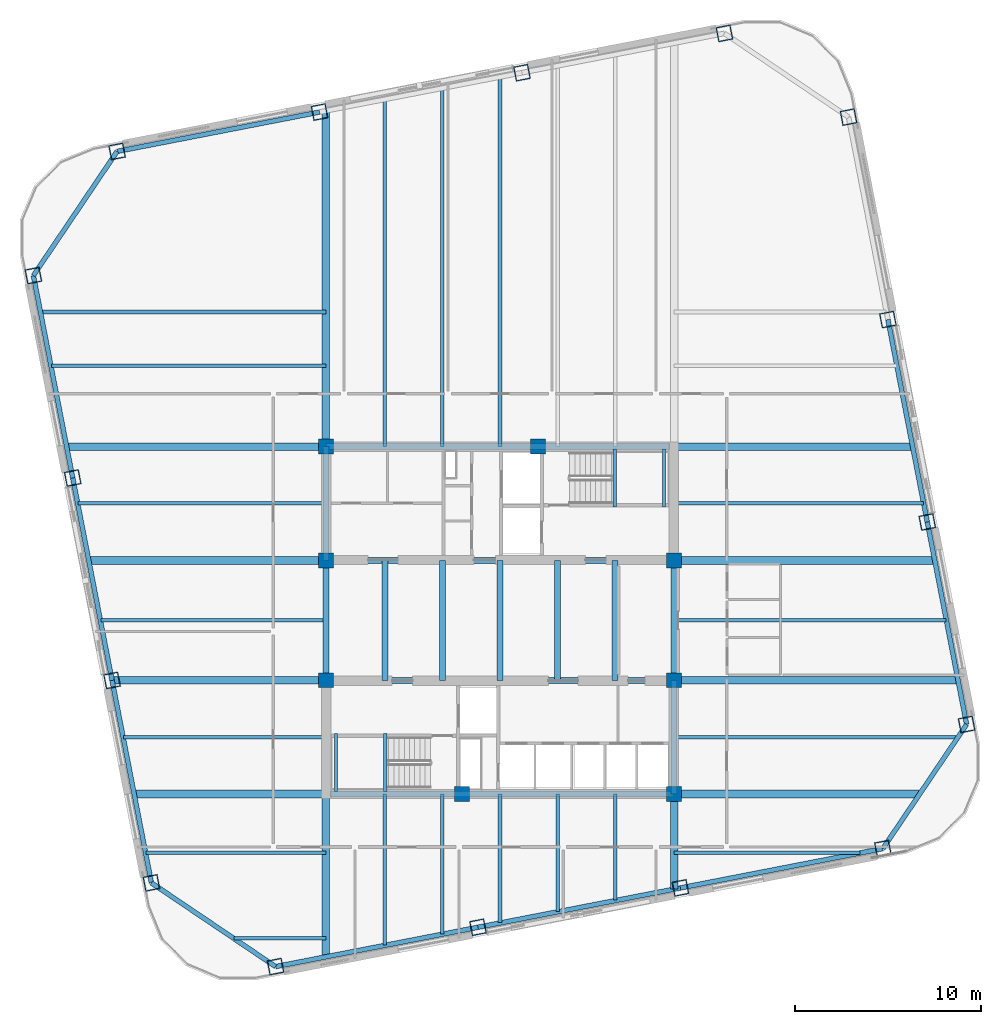
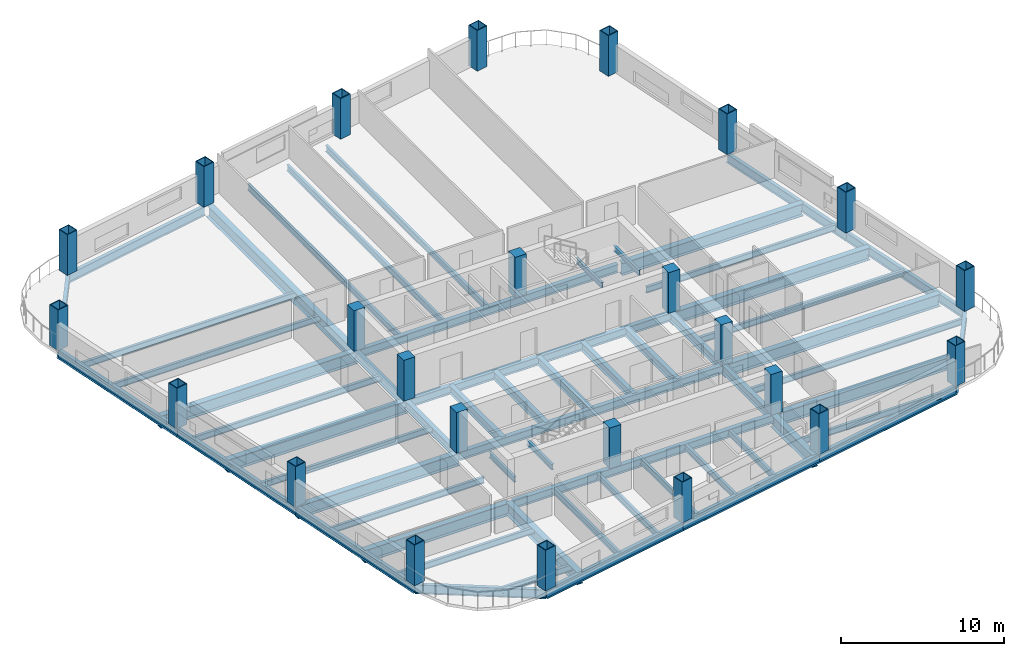
# One storey, part 1 of 9: 59 beams, 24 columns.
"""IFC4 building model written with IfcOpenShell, lengths in metres."""

from ifc_helpers import new_model, si_unit, direction, frame, origin, origin_2d, place, context, subcontext, project, spatial, rectangle, hollow_rectangle, i_section, extrude, material, material_profile, profile_set, type_object, element, save


model = new_model("IFC4")

# Units and contexts
model_context = context("Model", 3, precision=1e-05, world=origin(), true_north=direction((0.0, 1.0)))
body_context = subcontext(model_context, "Body", "Model", "MODEL_VIEW")
ifc_project = project(units=[si_unit("LENGTHUNIT", "METRE"), si_unit("AREAUNIT", "SQUARE_METRE"), si_unit("VOLUMEUNIT", "CUBIC_METRE"), si_unit("PLANEANGLEUNIT", "RADIAN"), si_unit("MASSUNIT", "GRAM", prefix="KILO")], contexts=[model_context])

# Site, building, storey
site_placement = place(None, origin())
site = spatial("IfcSite", under=ifc_project, at=site_placement, CompositionType="ELEMENT")
building_placement = place(site_placement, origin())
building = spatial("IfcBuilding", under=site, at=building_placement, Name="Qhalaya Broadcast Tower", CompositionType="ELEMENT")
storey_placement = place(building_placement, frame((0.0, 0.0, 121.949951171875)))
storey = spatial("IfcBuildingStorey", under=building, at=storey_placement, Name="L35", CompositionType="ELEMENT", Elevation=121.949951171875)

# Columns
ifc_material_1 = material(Name="Concrete C50/60", Category="concrete")
ifc_material_profile_1 = material_profile(ifc_material_1, rectangle(XDim=0.800048828125, YDim=0.800048828125, at=origin_2d()), Name="RC-COL 800x800")
ifc_profile_set_1 = profile_set([ifc_material_profile_1], Name="Concrete C50/60")
column_type_1 = type_object("IfcColumnType", Name="RC Upper Column C10", PredefinedType="COLUMN", material=ifc_profile_set_1)
for number, where, z_axis, x_axis, name in (
    (1, (-9.375, 9.949951171875, 0.0), (0.0, 0.0, 1.0), (1.0, 0.0, 0.0), "L35 Column COL-CC1"),
    (2, (2.050048828125, 9.949951171875, 0.0), (0.0, 0.0, 1.0), (1.0, 0.0, 0.0), "L35 Column COL-CC2"),
    (3, (-9.375, 3.824951171875, 0.0), (0.0, 0.0, 1.0), (1.0, 0.0, 0.0), "L35 Column COL-CC3"),
    (4, (9.375, 3.824951171875, 0.0), (0.0, 0.0, 1.0), (1.0, 0.0, 0.0), "L35 Column COL-CC4"),
    (5, (-9.375, -2.625, 0.0), (0.0, 0.0, 1.0), (1.0, 0.0, 0.0), "L35 Column COL-CC5"),
    (6, (9.375, -2.625, 0.0), (0.0, 0.0, 1.0), (1.0, 0.0, 0.0), "L35 Column COL-CC6"),
    (7, (-2.050048828125, -8.75, 0.0), (0.0, 0.0, 1.0), (1.0, 0.0, 0.0), "L35 Column COL-CC7"),
    (8, (9.375, -8.75, 0.0), (0.0, 0.0, 1.0), (1.0, 0.0, 0.0), "L35 Column COL-CC8"),
):
    element("IfcColumn", number, at=place(storey_placement, frame(where, z_axis=z_axis, x_axis=x_axis)), inside=storey, type_object=column_type_1, Name=name, PredefinedType="COLUMN", context=body_context, shape_type="SweptSolid", body=[
        extrude(rectangle(XDim=0.800048828125, YDim=0.800048828125, at=origin_2d()), origin(), (0.0, 0.0, 1.0), 3.050048828125),
    ])
ifc_material_2 = material(Name="Structural Steel ASTM A572 Grade 50", Category="steel")
ifc_material_profile_2 = material_profile(ifc_material_2, hollow_rectangle(XDim=0.800048828125, YDim=0.800048828125, WallThickness=0.050048828125, at=origin_2d()), Name="BOX 800x800x50")
ifc_profile_set_2 = profile_set([ifc_material_profile_2], Name="Structural Steel ASTM A572 Grade 50")
column_type_2 = type_object("IfcColumnType", Name="Steel Box Column C03", PredefinedType="COLUMN", material=ifc_profile_set_2)
for number, where, z_axis, x_axis, name in (
    (9, (-12.07958984375, -18.036376953125, 0.0), (0.0, 0.0, 1.0), (0.981627183448, 0.190808995377, 0.0), "L35 Column COL-EX01"),
    (10, (-1.183349609375, -15.91845703125, 0.0), (0.0, 0.0, 1.0), (0.981627183448, 0.190808995377, 0.0), "L35 Column COL-EX02"),
    (11, (9.712646484375, -13.80029296875, 0.0), (0.0, 0.0, 1.0), (0.981627183448, 0.190808995377, 0.0), "L35 Column COL-EX03"),
    (12, (20.608642578125, -11.682373046875, 0.0), (0.0, 0.0, 1.0), (0.981627183448, 0.190808995377, 0.0), "L35 Column COL-EX04"),
    (13, (25.1162109375, -4.99951171875, 0.0), (0.0, 0.0, 1.0), (-0.190808995377, 0.981627183448, 0.0), "L35 Column COL-EX05"),
    (14, (22.998291015625, 5.896484375, 0.0), (0.0, 0.0, 1.0), (-0.190808995377, 0.981627183448, 0.0), "L35 Column COL-EX06"),
    (15, (20.88037109375, 16.79248046875, 0.0), (0.0, 0.0, 1.0), (-0.190808995377, 0.981627183448, 0.0), "L35 Column COL-EX07"),
    (16, (18.762451171875, 27.688720703125, 0.0), (0.0, 0.0, 1.0), (-0.190808995377, 0.981627183448, 0.0), "L35 Column COL-EX08"),
    (17, (12.07958984375, 32.1962890625, 0.0), (0.0, 0.0, 1.0), (0.981627183448, 0.190808995377, 0.0), "L35 Column COL-EX09"),
    (18, (1.183349609375, 30.078369140625, 0.0), (0.0, 0.0, 1.0), (0.981627183448, 0.190808995377, 0.0), "L35 Column COL-EX10"),
    (19, (-9.712646484375, 27.96044921875, 0.0), (0.0, 0.0, 1.0), (0.981627183448, 0.190808995377, 0.0), "L35 Column COL-EX11"),
    (20, (-20.608642578125, 25.84228515625, 0.0), (0.0, 0.0, 1.0), (0.981627183448, 0.190808995377, 0.0), "L35 Column COL-EX12"),
    (21, (-25.1162109375, 19.159423828125, 0.0), (0.0, 0.0, 1.0), (-0.190808995377, 0.981627183448, 0.0), "L35 Column COL-EX13"),
    (22, (-22.998291015625, 8.263427734375, 0.0), (0.0, 0.0, 1.0), (-0.190808995377, 0.981627183448, 0.0), "L35 Column COL-EX14"),
    (23, (-20.88037109375, -2.632568359375, 0.0), (0.0, 0.0, 1.0), (-0.190808995377, 0.981627183448, 0.0), "L35 Column COL-EX15"),
    (24, (-18.762451171875, -13.52880859375, 0.0), (0.0, 0.0, 1.0), (-0.190808995377, 0.981627183448, 0.0), "L35 Column COL-EX16"),
):
    element("IfcColumn", number, at=place(storey_placement, frame(where, z_axis=z_axis, x_axis=x_axis)), inside=storey, type_object=column_type_2, Name=name, PredefinedType="COLUMN", context=body_context, shape_type="SweptSolid", body=[
        extrude(hollow_rectangle(XDim=0.800048828125, YDim=0.800048828125, WallThickness=0.050048828125, at=origin_2d()), origin(), (0.0, 0.0, 1.0), 3.050048828125),
    ])

# Beams
ifc_material_3 = material(Name="Structural Steel ASTM A992 Grade 50", Category="steel")
ifc_material_profile_3 = material_profile(ifc_material_3, i_section(OverallWidth=0.19189453125, OverallDepth=0.462890625, WebThickness=0.010498046875, FlangeThickness=0.017578125, at=origin_2d()), Name="W18X60")
ifc_profile_set_3 = profile_set([ifc_material_profile_3], Name="Structural Steel ASTM A992 Grade 50")
beam_type_1 = type_object("IfcBeamType", Name="Composite Floor Joist J03", PredefinedType="JOIST", material=ifc_profile_set_3)
beam_1_placement = place(storey_placement, frame((-6.199951171875, -16.873046875, -0.451416015625), z_axis=(0.0, 1.0, 0.0), x_axis=(-1.0, 0.0, 0.0)))
element("IfcBeam", 25, at=beam_1_placement, inside=storey, type_object=beam_type_1, Name="L35 J03 L35-JNS1-1", PredefinedType="JOIST", context=body_context, shape_type="SweptSolid", body=[
    extrude(i_section(OverallWidth=0.19189453125, OverallDepth=0.462890625, WebThickness=0.010498046875, FlangeThickness=0.017578125, at=origin_2d()), origin(), (0.0, 0.0, 1.0), 8.123046875),
])
beam_2_placement = place(storey_placement, frame((-6.199951171875, 9.949951171875, -0.451416015625), z_axis=(0.0, 1.0, 0.0), x_axis=(-1.0, 0.0, 0.0)))
element("IfcBeam", 26, at=beam_2_placement, inside=storey, type_object=beam_type_1, Name="L35 J03 L35-JNN1-1", PredefinedType="JOIST", context=body_context, shape_type="SweptSolid", body=[
    extrude(i_section(OverallWidth=0.19189453125, OverallDepth=0.462890625, WebThickness=0.010498046875, FlangeThickness=0.017578125, at=origin_2d()), origin(), (0.0, 0.0, 1.0), 18.6728515625),
])
beam_3_placement = place(storey_placement, frame((-3.10009765625, -16.2705078125, -0.451416015625), z_axis=(0.0, 1.0, 0.0), x_axis=(-1.0, 0.0, 0.0)))
element("IfcBeam", 27, at=beam_3_placement, inside=storey, type_object=beam_type_1, Name="L35 J03 L35-JNS2-1", PredefinedType="JOIST", context=body_context, shape_type="SweptSolid", body=[
    extrude(i_section(OverallWidth=0.19189453125, OverallDepth=0.462890625, WebThickness=0.010498046875, FlangeThickness=0.017578125, at=origin_2d()), origin(), (0.0, 0.0, 1.0), 7.5205078125),
])
beam_4_placement = place(storey_placement, frame((-3.10009765625, 9.949951171875, -0.451416015625), z_axis=(0.0, 1.0, 0.0), x_axis=(-1.0, 0.0, 0.0)))
element("IfcBeam", 28, at=beam_4_placement, inside=storey, type_object=beam_type_1, Name="L35 J03 L35-JNN2-1", PredefinedType="JOIST", context=body_context, shape_type="SweptSolid", body=[
    extrude(i_section(OverallWidth=0.19189453125, OverallDepth=0.462890625, WebThickness=0.010498046875, FlangeThickness=0.017578125, at=origin_2d()), origin(), (0.0, 0.0, 1.0), 19.275390625),
])
beam_5_placement = place(storey_placement, frame((0.0, -15.66796875, -0.451416015625), z_axis=(0.0, 1.0, 0.0), x_axis=(-1.0, 0.0, 0.0)))
element("IfcBeam", 29, at=beam_5_placement, inside=storey, type_object=beam_type_1, Name="L35 J03 L35-JNS3-1", PredefinedType="JOIST", context=body_context, shape_type="SweptSolid", body=[
    extrude(i_section(OverallWidth=0.19189453125, OverallDepth=0.462890625, WebThickness=0.010498046875, FlangeThickness=0.017578125, at=origin_2d()), origin(), (0.0, 0.0, 1.0), 6.91796875),
])
beam_6_placement = place(storey_placement, frame((0.0, 9.949951171875, -0.451416015625), z_axis=(0.0, 1.0, 0.0), x_axis=(-1.0, 0.0, 0.0)))
element("IfcBeam", 30, at=beam_6_placement, inside=storey, type_object=beam_type_1, Name="L35 J03 L35-JNN3-1", PredefinedType="JOIST", context=body_context, shape_type="SweptSolid", body=[
    extrude(i_section(OverallWidth=0.19189453125, OverallDepth=0.462890625, WebThickness=0.010498046875, FlangeThickness=0.017578125, at=origin_2d()), origin(), (0.0, 0.0, 1.0), 19.8779296875),
])
beam_7_placement = place(storey_placement, frame((3.10009765625, -15.0654296875, -0.451416015625), z_axis=(0.0, 1.0, 0.0), x_axis=(-1.0, 0.0, 0.0)))
element("IfcBeam", 31, at=beam_7_placement, inside=storey, type_object=beam_type_1, Name="L35 J03 L35-JNS4-1", PredefinedType="JOIST", context=body_context, shape_type="SweptSolid", body=[
    extrude(i_section(OverallWidth=0.19189453125, OverallDepth=0.462890625, WebThickness=0.010498046875, FlangeThickness=0.017578125, at=origin_2d()), origin(), (0.0, 0.0, 1.0), 6.3154296875),
])
beam_8_placement = place(storey_placement, frame((6.199951171875, -14.462890625, -0.451416015625), z_axis=(0.0, 1.0, 0.0), x_axis=(-1.0, 0.0, 0.0)))
element("IfcBeam", 32, at=beam_8_placement, inside=storey, type_object=beam_type_1, Name="L35 J03 L35-JNS5-1", PredefinedType="JOIST", context=body_context, shape_type="SweptSolid", body=[
    extrude(i_section(OverallWidth=0.19189453125, OverallDepth=0.462890625, WebThickness=0.010498046875, FlangeThickness=0.017578125, at=origin_2d()), origin(), (0.0, 0.0, 1.0), 5.712890625),
])
beam_9_placement = place(storey_placement, frame((-14.3212890625, -16.5, -0.451416015625), z_axis=(1.0, 0.0, 0.0), x_axis=(0.0, 1.0, 0.0)))
element("IfcBeam", 33, at=beam_9_placement, inside=storey, type_object=beam_type_1, Name="L35 J03 L35-JWE1W-1", PredefinedType="JOIST", context=body_context, shape_type="SweptSolid", body=[
    extrude(i_section(OverallWidth=0.19189453125, OverallDepth=0.462890625, WebThickness=0.010498046875, FlangeThickness=0.017578125, at=origin_2d()), origin(), (0.0, 0.0, 1.0), 4.9462890625),
])
beam_10_placement = place(storey_placement, frame((-19.05859375, -11.89990234375, -0.451416015625), z_axis=(1.0, 0.0, 0.0), x_axis=(0.0, 1.0, 0.0)))
element("IfcBeam", 34, at=beam_10_placement, inside=storey, type_object=beam_type_1, Name="L35 J03 L35-JWE2W-1", PredefinedType="JOIST", context=body_context, shape_type="SweptSolid", body=[
    extrude(i_section(OverallWidth=0.19189453125, OverallDepth=0.462890625, WebThickness=0.010498046875, FlangeThickness=0.017578125, at=origin_2d()), origin(), (0.0, 0.0, 1.0), 9.68359375),
])
beam_11_placement = place(storey_placement, frame((9.375, -11.89990234375, -0.451416015625), z_axis=(1.0, 0.0, 0.0), x_axis=(0.0, 1.0, 0.0)))
element("IfcBeam", 35, at=beam_11_placement, inside=storey, type_object=beam_type_1, Name="L35 J03 L35-JWE2E-1", PredefinedType="JOIST", context=body_context, shape_type="SweptSolid", body=[
    extrude(i_section(OverallWidth=0.19189453125, OverallDepth=0.462890625, WebThickness=0.010498046875, FlangeThickness=0.017578125, at=origin_2d()), origin(), (0.0, 0.0, 1.0), 10.009521484375),
])
beam_12_placement = place(storey_placement, frame((-20.263916015625, -5.699951171875, -0.451416015625), z_axis=(1.0, 0.0, 0.0), x_axis=(0.0, 1.0, 0.0)))
element("IfcBeam", 36, at=beam_12_placement, inside=storey, type_object=beam_type_1, Name="L35 J03 L35-JWE3W-1", PredefinedType="JOIST", context=body_context, shape_type="SweptSolid", body=[
    extrude(i_section(OverallWidth=0.19189453125, OverallDepth=0.462890625, WebThickness=0.010498046875, FlangeThickness=0.017578125, at=origin_2d()), origin(), (0.0, 0.0, 1.0), 10.888916015625),
])
beam_13_placement = place(storey_placement, frame((9.375, -5.699951171875, -0.451416015625), z_axis=(1.0, 0.0, 0.0), x_axis=(0.0, 1.0, 0.0)))
element("IfcBeam", 37, at=beam_13_placement, inside=storey, type_object=beam_type_1, Name="L35 J03 L35-JWE3E-1", PredefinedType="JOIST", context=body_context, shape_type="SweptSolid", body=[
    extrude(i_section(OverallWidth=0.19189453125, OverallDepth=0.462890625, WebThickness=0.010498046875, FlangeThickness=0.017578125, at=origin_2d()), origin(), (0.0, 0.0, 1.0), 15.24462890625),
])
beam_14_placement = place(storey_placement, frame((-21.48828125, 0.60009765625, -0.451416015625), z_axis=(1.0, 0.0, 0.0), x_axis=(0.0, 1.0, 0.0)))
element("IfcBeam", 38, at=beam_14_placement, inside=storey, type_object=beam_type_1, Name="L35 J03 L35-JWE4W-1", PredefinedType="JOIST", context=body_context, shape_type="SweptSolid", body=[
    extrude(i_section(OverallWidth=0.19189453125, OverallDepth=0.462890625, WebThickness=0.010498046875, FlangeThickness=0.017578125, at=origin_2d()), origin(), (0.0, 0.0, 1.0), 12.11328125),
])
beam_15_placement = place(storey_placement, frame((9.375, 0.60009765625, -0.451416015625), z_axis=(1.0, 0.0, 0.0), x_axis=(0.0, 1.0, 0.0)))
element("IfcBeam", 39, at=beam_15_placement, inside=storey, type_object=beam_type_1, Name="L35 J03 L35-JWE4E-1", PredefinedType="JOIST", context=body_context, shape_type="SweptSolid", body=[
    extrude(i_section(OverallWidth=0.19189453125, OverallDepth=0.462890625, WebThickness=0.010498046875, FlangeThickness=0.017578125, at=origin_2d()), origin(), (0.0, 0.0, 1.0), 14.632568359375),
])
beam_16_placement = place(storey_placement, frame((-22.712890625, 6.89990234375, -0.451416015625), z_axis=(1.0, 0.0, 0.0), x_axis=(0.0, 1.0, 0.0)))
element("IfcBeam", 40, at=beam_16_placement, inside=storey, type_object=beam_type_1, Name="L35 J03 L35-JWE5W-1", PredefinedType="JOIST", context=body_context, shape_type="SweptSolid", body=[
    extrude(i_section(OverallWidth=0.19189453125, OverallDepth=0.462890625, WebThickness=0.010498046875, FlangeThickness=0.017578125, at=origin_2d()), origin(), (0.0, 0.0, 1.0), 13.337890625),
])
beam_17_placement = place(storey_placement, frame((9.375, 6.89990234375, -0.451416015625), z_axis=(1.0, 0.0, 0.0), x_axis=(0.0, 1.0, 0.0)))
element("IfcBeam", 41, at=beam_17_placement, inside=storey, type_object=beam_type_1, Name="L35 J03 L35-JWE5E-1", PredefinedType="JOIST", context=body_context, shape_type="SweptSolid", body=[
    extrude(i_section(OverallWidth=0.19189453125, OverallDepth=0.462890625, WebThickness=0.010498046875, FlangeThickness=0.017578125, at=origin_2d()), origin(), (0.0, 0.0, 1.0), 13.407958984375),
])
beam_18_placement = place(storey_placement, frame((-24.1513671875, 14.300048828125, -0.451416015625), z_axis=(1.0, 0.0, 0.0), x_axis=(0.0, 1.0, 0.0)))
element("IfcBeam", 42, at=beam_18_placement, inside=storey, type_object=beam_type_1, Name="L35 J03 L35-JWE6W-1", PredefinedType="JOIST", context=body_context, shape_type="SweptSolid", body=[
    extrude(i_section(OverallWidth=0.19189453125, OverallDepth=0.462890625, WebThickness=0.010498046875, FlangeThickness=0.017578125, at=origin_2d()), origin(), (0.0, 0.0, 1.0), 14.7763671875),
])
beam_19_placement = place(storey_placement, frame((-24.715087890625, 17.199951171875, -0.451416015625), z_axis=(1.0, 0.0, 0.0), x_axis=(0.0, 1.0, 0.0)))
element("IfcBeam", 43, at=beam_19_placement, inside=storey, type_object=beam_type_1, Name="L35 J03 L35-JWE7W-1", PredefinedType="JOIST", context=body_context, shape_type="SweptSolid", body=[
    extrude(i_section(OverallWidth=0.19189453125, OverallDepth=0.462890625, WebThickness=0.010498046875, FlangeThickness=0.017578125, at=origin_2d()), origin(), (0.0, 0.0, 1.0), 15.340087890625),
])
ifc_material_profile_4 = material_profile(ifc_material_3, i_section(OverallWidth=0.323974609375, OverallDepth=0.612060546875, WebThickness=0.0126953125, FlangeThickness=0.01904296875, at=origin_2d()), Name="W24X104")
ifc_profile_set_4 = profile_set([ifc_material_profile_4], Name="Structural Steel ASTM A992 Grade 50")
beam_type_2 = type_object("IfcBeamType", Name="Core Frame Tie Beam B04", PredefinedType="BEAM", material=ifc_profile_set_4)
beam_20_placement = place(storey_placement, frame((-9.375, 3.824951171875, -0.52587890625), z_axis=(1.0, 0.0, 0.0), x_axis=(0.0, 1.0, 0.0)))
element("IfcBeam", 44, at=beam_20_placement, inside=storey, type_object=beam_type_2, Name="L35 B04 L35-CCN1", PredefinedType="BEAM", context=body_context, shape_type="SweptSolid", body=[
    extrude(i_section(OverallWidth=0.323974609375, OverallDepth=0.612060546875, WebThickness=0.0126953125, FlangeThickness=0.01904296875, at=origin_2d()), origin(), (0.0, 0.0, 1.0), 18.75),
])
beam_21_placement = place(storey_placement, frame((-9.375, 3.824951171875, -0.52587890625), z_axis=(0.0, 1.0, 0.0), x_axis=(-1.0, 0.0, 0.0)))
element("IfcBeam", 45, at=beam_21_placement, inside=storey, type_object=beam_type_2, Name="L35 B04 L35-CCN2", PredefinedType="BEAM", context=body_context, shape_type="SweptSolid", body=[
    extrude(i_section(OverallWidth=0.323974609375, OverallDepth=0.612060546875, WebThickness=0.0126953125, FlangeThickness=0.01904296875, at=origin_2d()), origin(), (0.0, 0.0, 1.0), 6.125),
])
beam_22_placement = place(storey_placement, frame((-9.375, 9.949951171875, -0.52587890625), z_axis=(1.0, 0.0, 0.0), x_axis=(0.0, 1.0, 0.0)))
element("IfcBeam", 46, at=beam_22_placement, inside=storey, type_object=beam_type_2, Name="L35 B04 L35-CCN3", PredefinedType="BEAM", context=body_context, shape_type="SweptSolid", body=[
    extrude(i_section(OverallWidth=0.323974609375, OverallDepth=0.612060546875, WebThickness=0.0126953125, FlangeThickness=0.01904296875, at=origin_2d()), origin(), (0.0, 0.0, 1.0), 18.4951171875),
])
beam_23_placement = place(storey_placement, frame((-9.375, -2.625, -0.52587890625), z_axis=(1.0, 0.0, 0.0), x_axis=(0.0, 1.0, 0.0)))
element("IfcBeam", 47, at=beam_23_placement, inside=storey, type_object=beam_type_2, Name="L35 B04 L35-CCS1", PredefinedType="BEAM", context=body_context, shape_type="SweptSolid", body=[
    extrude(i_section(OverallWidth=0.323974609375, OverallDepth=0.612060546875, WebThickness=0.0126953125, FlangeThickness=0.01904296875, at=origin_2d()), origin(), (0.0, 0.0, 1.0), 18.75),
])
beam_24_placement = place(storey_placement, frame((9.375, -8.75, -0.52587890625), z_axis=(0.0, 1.0, 0.0), x_axis=(-1.0, 0.0, 0.0)))
element("IfcBeam", 48, at=beam_24_placement, inside=storey, type_object=beam_type_2, Name="L35 B04 L35-CCS2", PredefinedType="BEAM", context=body_context, shape_type="SweptSolid", body=[
    extrude(i_section(OverallWidth=0.323974609375, OverallDepth=0.612060546875, WebThickness=0.0126953125, FlangeThickness=0.01904296875, at=origin_2d()), origin(), (0.0, 0.0, 1.0), 6.125),
])
beam_25_placement = place(storey_placement, frame((-9.1201171875, -8.75, -0.52587890625), z_axis=(1.0, 0.0, 0.0), x_axis=(0.0, 1.0, 0.0)))
element("IfcBeam", 49, at=beam_25_placement, inside=storey, type_object=beam_type_2, Name="L35 B04 L35-CCS3", PredefinedType="BEAM", context=body_context, shape_type="SweptSolid", body=[
    extrude(i_section(OverallWidth=0.323974609375, OverallDepth=0.612060546875, WebThickness=0.0126953125, FlangeThickness=0.01904296875, at=origin_2d()), origin(), (0.0, 0.0, 1.0), 18.4951171875),
])
for number, where, z_axis, x_axis, name in (
    (50, (-9.375, -2.625, -0.52587890625), (0.0, 1.0, 0.0), (-1.0, 0.0, 0.0), "L35 B04 L35-CCW"),
    (51, (9.375, -2.625, -0.52587890625), (0.0, 1.0, 0.0), (-1.0, 0.0, 0.0), "L35 B04 L35-CCE"),
    (52, (-6.199951171875, -2.625, -0.52587890625), (0.0, 1.0, 0.0), (-1.0, 0.0, 0.0), "L35 B04 L35-JC1-1"),
    (53, (-3.10009765625, -2.625, -0.52587890625), (0.0, 1.0, 0.0), (-1.0, 0.0, 0.0), "L35 B04 L35-JC2-1"),
    (54, (0.0, -2.625, -0.52587890625), (0.0, 1.0, 0.0), (-1.0, 0.0, 0.0), "L35 B04 L35-JC3-1"),
    (55, (3.10009765625, -2.625, -0.52587890625), (0.0, 1.0, 0.0), (-1.0, 0.0, 0.0), "L35 B04 L35-JC4-1"),
    (56, (6.199951171875, -2.625, -0.52587890625), (0.0, 1.0, 0.0), (-1.0, 0.0, 0.0), "L35 B04 L35-JC5-1"),
):
    element("IfcBeam", number, at=place(storey_placement, frame(where, z_axis=z_axis, x_axis=x_axis)), inside=storey, type_object=beam_type_2, Name=name, PredefinedType="BEAM", context=body_context, shape_type="SweptSolid", body=[
        extrude(i_section(OverallWidth=0.323974609375, OverallDepth=0.612060546875, WebThickness=0.0126953125, FlangeThickness=0.01904296875, at=origin_2d()), origin(), (0.0, 0.0, 1.0), 6.449951171875),
    ])
ifc_material_profile_5 = material_profile(ifc_material_3, i_section(OverallWidth=0.4189453125, OverallDepth=0.927001953125, WebThickness=0.019287109375, FlangeThickness=0.031982421875, at=origin_2d()), Name="W36X231")
ifc_profile_set_5 = profile_set([ifc_material_profile_5], Name="Structural Steel ASTM A992 Grade 50")
beam_type_3 = type_object("IfcBeamType", Name="Mid Block Primary Girder PG3", PredefinedType="USERDEFINED", material=ifc_profile_set_5)
beam_26_placement = place(storey_placement, frame((-9.375, -17.490234375, -0.683349609375), z_axis=(0.0, 1.0, 0.0), x_axis=(-1.0, 0.0, 0.0)))
element("IfcBeam", 57, at=beam_26_placement, inside=storey, type_object=beam_type_3, Name="L35 PG3 L35-PGXS1-1", ObjectType="GIRDER", PredefinedType="USERDEFINED", context=body_context, shape_type="SweptSolid", body=[
    extrude(i_section(OverallWidth=0.4189453125, OverallDepth=0.927001953125, WebThickness=0.019287109375, FlangeThickness=0.031982421875, at=origin_2d()), origin(), (0.0, 0.0, 1.0), 8.740234375),
])
beam_27_placement = place(storey_placement, frame((-9.375, 9.949951171875, -0.683349609375), z_axis=(0.0, 1.0, 0.0), x_axis=(-1.0, 0.0, 0.0)))
element("IfcBeam", 58, at=beam_27_placement, inside=storey, type_object=beam_type_3, Name="L35 PG3 L35-PGXN1-1", ObjectType="GIRDER", PredefinedType="USERDEFINED", context=body_context, shape_type="SweptSolid", body=[
    extrude(i_section(OverallWidth=0.4189453125, OverallDepth=0.927001953125, WebThickness=0.019287109375, FlangeThickness=0.031982421875, at=origin_2d()), origin(), (0.0, 0.0, 1.0), 18.0556640625),
])
beam_28_placement = place(storey_placement, frame((9.375, -13.845703125, -0.683349609375), z_axis=(0.0, 1.0, 0.0), x_axis=(-1.0, 0.0, 0.0)))
element("IfcBeam", 59, at=beam_28_placement, inside=storey, type_object=beam_type_3, Name="L35 PG3 L35-PGXS2-1", ObjectType="GIRDER", PredefinedType="USERDEFINED", context=body_context, shape_type="SweptSolid", body=[
    extrude(i_section(OverallWidth=0.4189453125, OverallDepth=0.927001953125, WebThickness=0.019287109375, FlangeThickness=0.031982421875, at=origin_2d()), origin(), (0.0, 0.0, 1.0), 5.095703125),
])
beam_29_placement = place(storey_placement, frame((-19.6708984375, -8.75, -0.683349609375), z_axis=(1.0, 0.0, 0.0), x_axis=(0.0, 1.0, 0.0)))
element("IfcBeam", 60, at=beam_29_placement, inside=storey, type_object=beam_type_3, Name="L35 PG3 L35-PGYW1-1", ObjectType="GIRDER", PredefinedType="USERDEFINED", context=body_context, shape_type="SweptSolid", body=[
    extrude(i_section(OverallWidth=0.4189453125, OverallDepth=0.927001953125, WebThickness=0.019287109375, FlangeThickness=0.031982421875, at=origin_2d()), origin(), (0.0, 0.0, 1.0), 10.2958984375),
])
beam_30_placement = place(storey_placement, frame((9.375, -8.75, -0.683349609375), z_axis=(1.0, 0.0, 0.0), x_axis=(0.0, 1.0, 0.0)))
element("IfcBeam", 61, at=beam_30_placement, inside=storey, type_object=beam_type_3, Name="L35 PG3 L35-PGYE1-1", ObjectType="GIRDER", PredefinedType="USERDEFINED", context=body_context, shape_type="SweptSolid", body=[
    extrude(i_section(OverallWidth=0.4189453125, OverallDepth=0.927001953125, WebThickness=0.019287109375, FlangeThickness=0.031982421875, at=origin_2d()), origin(), (0.0, 0.0, 1.0), 13.1875),
])
beam_31_placement = place(storey_placement, frame((-20.861572265625, -2.625, -0.683349609375), z_axis=(1.0, 0.0, 0.0), x_axis=(0.0, 1.0, 0.0)))
element("IfcBeam", 62, at=beam_31_placement, inside=storey, type_object=beam_type_3, Name="L35 PG3 L35-PGYW2-1", ObjectType="GIRDER", PredefinedType="USERDEFINED", context=body_context, shape_type="SweptSolid", body=[
    extrude(i_section(OverallWidth=0.4189453125, OverallDepth=0.927001953125, WebThickness=0.019287109375, FlangeThickness=0.031982421875, at=origin_2d()), origin(), (0.0, 0.0, 1.0), 11.486572265625),
])
beam_32_placement = place(storey_placement, frame((9.375, -2.625, -0.683349609375), z_axis=(1.0, 0.0, 0.0), x_axis=(0.0, 1.0, 0.0)))
element("IfcBeam", 63, at=beam_32_placement, inside=storey, type_object=beam_type_3, Name="L35 PG3 L35-PGYE2-1", ObjectType="GIRDER", PredefinedType="USERDEFINED", context=body_context, shape_type="SweptSolid", body=[
    extrude(i_section(OverallWidth=0.4189453125, OverallDepth=0.927001953125, WebThickness=0.019287109375, FlangeThickness=0.031982421875, at=origin_2d()), origin(), (0.0, 0.0, 1.0), 15.259521484375),
])
beam_33_placement = place(storey_placement, frame((-22.115234375, 3.824951171875, -0.683349609375), z_axis=(1.0, 0.0, 0.0), x_axis=(0.0, 1.0, 0.0)))
element("IfcBeam", 64, at=beam_33_placement, inside=storey, type_object=beam_type_3, Name="L35 PG3 L35-PGYW3-1", ObjectType="GIRDER", PredefinedType="USERDEFINED", context=body_context, shape_type="SweptSolid", body=[
    extrude(i_section(OverallWidth=0.4189453125, OverallDepth=0.927001953125, WebThickness=0.019287109375, FlangeThickness=0.031982421875, at=origin_2d()), origin(), (0.0, 0.0, 1.0), 12.740234375),
])
beam_34_placement = place(storey_placement, frame((9.375, 3.824951171875, -0.683349609375), z_axis=(1.0, 0.0, 0.0), x_axis=(0.0, 1.0, 0.0)))
element("IfcBeam", 65, at=beam_34_placement, inside=storey, type_object=beam_type_3, Name="L35 PG3 L35-PGYE3-1", ObjectType="GIRDER", PredefinedType="USERDEFINED", context=body_context, shape_type="SweptSolid", body=[
    extrude(i_section(OverallWidth=0.4189453125, OverallDepth=0.927001953125, WebThickness=0.019287109375, FlangeThickness=0.031982421875, at=origin_2d()), origin(), (0.0, 0.0, 1.0), 14.005615234375),
])
beam_35_placement = place(storey_placement, frame((-23.305908203125, 9.949951171875, -0.683349609375), z_axis=(1.0, 0.0, 0.0), x_axis=(0.0, 1.0, 0.0)))
element("IfcBeam", 66, at=beam_35_placement, inside=storey, type_object=beam_type_3, Name="L35 PG3 L35-PGYW4-1", ObjectType="GIRDER", PredefinedType="USERDEFINED", context=body_context, shape_type="SweptSolid", body=[
    extrude(i_section(OverallWidth=0.4189453125, OverallDepth=0.927001953125, WebThickness=0.019287109375, FlangeThickness=0.031982421875, at=origin_2d()), origin(), (0.0, 0.0, 1.0), 13.930908203125),
])
beam_36_placement = place(storey_placement, frame((9.375, 9.949951171875, -0.683349609375), z_axis=(1.0, 0.0, 0.0), x_axis=(0.0, 1.0, 0.0)))
element("IfcBeam", 67, at=beam_36_placement, inside=storey, type_object=beam_type_3, Name="L35 PG3 L35-PGYE4-1", ObjectType="GIRDER", PredefinedType="USERDEFINED", context=body_context, shape_type="SweptSolid", body=[
    extrude(i_section(OverallWidth=0.4189453125, OverallDepth=0.927001953125, WebThickness=0.019287109375, FlangeThickness=0.031982421875, at=origin_2d()), origin(), (0.0, 0.0, 1.0), 12.815185546875),
])
ifc_material_profile_6 = material_profile(ifc_material_3, i_section(OverallWidth=0.25390625, OverallDepth=0.68310546875, WebThickness=0.012451171875, FlangeThickness=0.01904296875, at=origin_2d()), Name="W27X94")
ifc_profile_set_6 = profile_set([ifc_material_profile_6], Name="Structural Steel ASTM A992 Grade 50")
beam_type_4 = type_object("IfcBeamType", Name="Perimeter Ring Spandrel Beam SP1", PredefinedType="SPANDREL", material=ifc_profile_set_6)
beam_37_placement = place(storey_placement, frame((-12.07958984375, -18.036376953125, -0.5615234375), z_axis=(0.98162878008, 0.190800781233, 0.0), x_axis=(-0.190800781233, 0.98162878008, 0.0)))
element("IfcBeam", 68, at=beam_37_placement, inside=storey, type_object=beam_type_4, Name="L35 SP1 L35-SPR-01", PredefinedType="SPANDREL", context=body_context, shape_type="SweptSolid", body=[
    extrude(i_section(OverallWidth=0.25390625, OverallDepth=0.68310546875, WebThickness=0.012451171875, FlangeThickness=0.01904296875, at=origin_2d()), origin(), (0.0, 0.0, 1.0), 11.10009765625),
])
for number, where, z_axis, x_axis, name in (
    (69, (-1.183349609375, -15.91845703125, -0.5615234375), (0.981623859527, 0.190826094673, 0.0), (-0.190826094673, 0.981623859527, 0.0), "L35 SP1 L35-SPR-02"),
    (70, (9.712646484375, -13.80029296875, -0.5615234375), (0.981627979352, 0.190804900759, 0.0), (-0.190804900759, 0.981627979352, 0.0), "L35 SP1 L35-SPR-03"),
):
    element("IfcBeam", number, at=place(storey_placement, frame(where, z_axis=z_axis, x_axis=x_axis)), inside=storey, type_object=beam_type_4, Name=name, PredefinedType="SPANDREL", context=body_context, shape_type="SweptSolid", body=[
        extrude(i_section(OverallWidth=0.25390625, OverallDepth=0.68310546875, WebThickness=0.012451171875, FlangeThickness=0.01904296875, at=origin_2d()), origin(), (0.0, 0.0, 1.0), 11.099853515625),
    ])
beam_38_placement = place(storey_placement, frame((20.608642578125, -11.682373046875, -0.5615234375), z_axis=(0.559186208288, 0.829042088473, 0.0), x_axis=(-0.829042088473, 0.559186208288, 0.0)))
element("IfcBeam", 71, at=beam_38_placement, inside=storey, type_object=beam_type_4, Name="L35 SP1 L35-SPR-04", PredefinedType="SPANDREL", context=body_context, shape_type="SweptSolid", body=[
    extrude(i_section(OverallWidth=0.25390625, OverallDepth=0.68310546875, WebThickness=0.012451171875, FlangeThickness=0.01904296875, at=origin_2d()), origin(), (0.0, 0.0, 1.0), 8.06103515625),
])
for number, where, z_axis, x_axis, name in (
    (72, (25.1162109375, -4.99951171875, -0.5615234375), (-0.190804900759, 0.981627979352, 0.0), (-0.981627979352, -0.190804900759, 0.0), "L35 SP1 L35-SPR-05"),
    (73, (22.998291015625, 5.896484375, -0.5615234375), (-0.190804900759, 0.981627979352, 0.0), (-0.981627979352, -0.190804900759, 0.0), "L35 SP1 L35-SPR-06"),
    (74, (-9.712646484375, 27.96044921875, -0.5615234375), (-0.981623859527, -0.190826094673, 0.0), (0.190826094673, -0.981623859527, 0.0), "L35 SP1 L35-SPR-11"),
):
    element("IfcBeam", number, at=place(storey_placement, frame(where, z_axis=z_axis, x_axis=x_axis)), inside=storey, type_object=beam_type_4, Name=name, PredefinedType="SPANDREL", context=body_context, shape_type="SweptSolid", body=[
        extrude(i_section(OverallWidth=0.25390625, OverallDepth=0.68310546875, WebThickness=0.012451171875, FlangeThickness=0.01904296875, at=origin_2d()), origin(), (0.0, 0.0, 1.0), 11.099853515625),
    ])
beam_39_placement = place(storey_placement, frame((-20.608642578125, 25.84228515625, -0.5615234375), z_axis=(-0.559186208288, -0.829042088473, 0.0), x_axis=(0.829042088473, -0.559186208288, 0.0)))
element("IfcBeam", 75, at=beam_39_placement, inside=storey, type_object=beam_type_4, Name="L35 SP1 L35-SPR-12", PredefinedType="SPANDREL", context=body_context, shape_type="SweptSolid", body=[
    extrude(i_section(OverallWidth=0.25390625, OverallDepth=0.68310546875, WebThickness=0.012451171875, FlangeThickness=0.01904296875, at=origin_2d()), origin(), (0.0, 0.0, 1.0), 8.06103515625),
])
for number, where, z_axis, x_axis, name in (
    (76, (-25.1162109375, 19.159423828125, -0.5615234375), (0.190804900759, -0.981627979352, 0.0), (0.981627979352, 0.190804900759, 0.0), "L35 SP1 L35-SPR-13"),
    (77, (-22.998291015625, 8.263427734375, -0.5615234375), (0.190804900759, -0.981627979352, 0.0), (0.981627979352, 0.190804900759, 0.0), "L35 SP1 L35-SPR-14"),
):
    element("IfcBeam", number, at=place(storey_placement, frame(where, z_axis=z_axis, x_axis=x_axis)), inside=storey, type_object=beam_type_4, Name=name, PredefinedType="SPANDREL", context=body_context, shape_type="SweptSolid", body=[
        extrude(i_section(OverallWidth=0.25390625, OverallDepth=0.68310546875, WebThickness=0.012451171875, FlangeThickness=0.01904296875, at=origin_2d()), origin(), (0.0, 0.0, 1.0), 11.099853515625),
    ])
beam_40_placement = place(storey_placement, frame((-20.88037109375, -2.632568359375, -0.5615234375), z_axis=(0.190800781233, -0.98162878008, 0.0), x_axis=(0.98162878008, 0.190800781233, 0.0)))
element("IfcBeam", 78, at=beam_40_placement, inside=storey, type_object=beam_type_4, Name="L35 SP1 L35-SPR-15", PredefinedType="SPANDREL", context=body_context, shape_type="SweptSolid", body=[
    extrude(i_section(OverallWidth=0.25390625, OverallDepth=0.68310546875, WebThickness=0.012451171875, FlangeThickness=0.01904296875, at=origin_2d()), origin(), (0.0, 0.0, 1.0), 11.10009765625),
])
beam_41_placement = place(storey_placement, frame((-18.762451171875, -13.52880859375, -0.5615234375), z_axis=(0.829042088473, -0.559186208288, 0.0), x_axis=(0.559186208288, 0.829042088473, 0.0)))
element("IfcBeam", 79, at=beam_41_placement, inside=storey, type_object=beam_type_4, Name="L35 SP1 L35-SPR-16", PredefinedType="SPANDREL", context=body_context, shape_type="SweptSolid", body=[
    extrude(i_section(OverallWidth=0.25390625, OverallDepth=0.68310546875, WebThickness=0.012451171875, FlangeThickness=0.01904296875, at=origin_2d()), origin(), (0.0, 0.0, 1.0), 8.06103515625),
])
ifc_material_profile_7 = material_profile(ifc_material_3, i_section(OverallWidth=0.177978515625, OverallDepth=0.406005859375, WebThickness=0.0078125, FlangeThickness=0.0126953125, at=origin_2d()), Name="W16X40")
ifc_profile_set_7 = profile_set([ifc_material_profile_7], Name="Structural Steel ASTM A992 Grade 50")
beam_type_5 = type_object("IfcBeamType", Name="Upper Perimeter Spandrel Beam SP2", PredefinedType="SPANDREL", material=ifc_profile_set_7)
for number, where, z_axis, x_axis, name in (
    (80, (6.175048828125, 6.699951171875, 1.1220703125), (0.0, 1.0, 0.0), (-1.0, 0.0, 0.0), "L35 ST-1 Half-Landing Bearer Beam 1"),
    (81, (8.830078125, 6.699951171875, 1.1220703125), (0.0, 1.0, 0.0), (-1.0, 0.0, 0.0), "L35 ST-1 Half-Landing Bearer Beam 2"),
    (82, (-8.830078125, -8.6201171875, 1.1220703125), (0.0, 1.0, 0.0), (-1.0, 0.0, 0.0), "L35 ST-2 Half-Landing Bearer Beam 1"),
    (83, (-6.175048828125, -8.6201171875, 1.1220703125), (0.0, 1.0, 0.0), (-1.0, 0.0, 0.0), "L35 ST-2 Half-Landing Bearer Beam 2"),
):
    element("IfcBeam", number, at=place(storey_placement, frame(where, z_axis=z_axis, x_axis=x_axis)), inside=storey, type_object=beam_type_5, Name=name, PredefinedType="SPANDREL", context=body_context, shape_type="SweptSolid", body=[
        extrude(i_section(OverallWidth=0.177978515625, OverallDepth=0.406005859375, WebThickness=0.0078125, FlangeThickness=0.0126953125, at=origin_2d()), origin(), (0.0, 0.0, 1.0), 3.1201171875),
    ])

save(model, "model.ifc")
